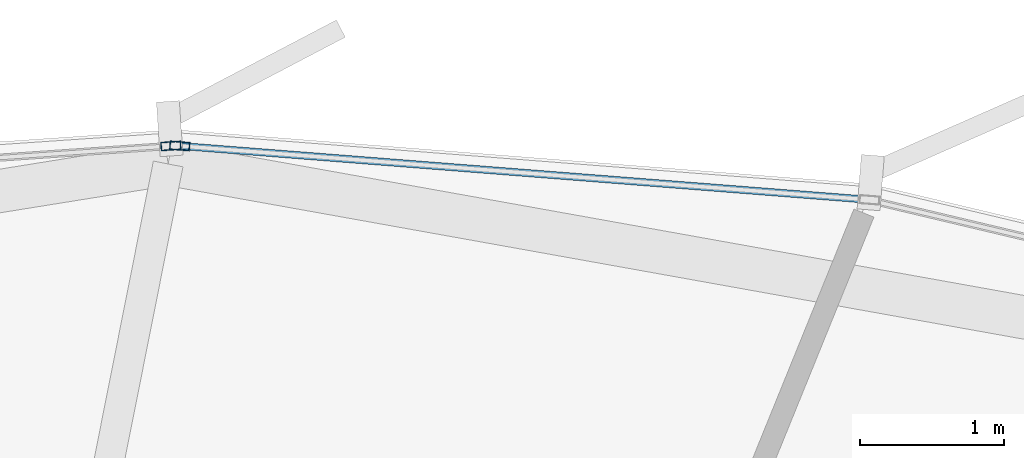
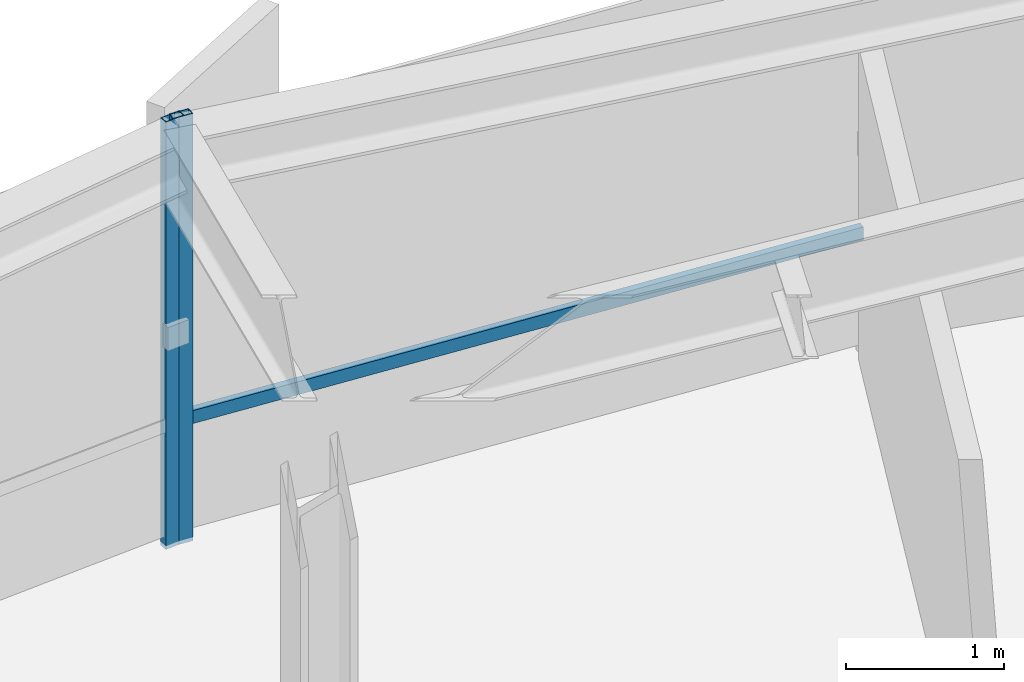
# One storey, part 29 of 37: 3 members, 2 elements without a shape of their own.
"""IFC4 building model written with IfcOpenShell, lengths in metres."""

from ifc_helpers import new_model, si_unit, direction, frame, origin, origin_2d, place, context, subcontext, project, spatial, hollow_rectangle, extrude, source, transform, mapped, material, layer, layer_set, material_profile, profile_set, type_object, element, aggregate, save


model = new_model("IFC4")

# Units and contexts
model_context = context("Model", 3, precision=1e-05, world=origin(), true_north=direction((0.0, 1.0)))
body_context = subcontext(model_context, "Body", "Model", "MODEL_VIEW")
ifc_project = project(units=[si_unit("LENGTHUNIT", "METRE"), si_unit("AREAUNIT", "SQUARE_METRE"), si_unit("VOLUMEUNIT", "CUBIC_METRE"), si_unit("PLANEANGLEUNIT", "RADIAN"), si_unit("MASSUNIT", "GRAM", prefix="KILO"), si_unit("THERMODYNAMICTEMPERATUREUNIT", "KELVIN")], contexts=[model_context])

# Site, building, storey
site_placement = place(None, origin())
site = spatial("IfcSite", under=ifc_project, at=site_placement, CompositionType="ELEMENT")
building_placement = place(site_placement, origin())
building = spatial("IfcBuilding", under=site, at=building_placement, Name="Kethvar Cultural Tower", CompositionType="ELEMENT")
storey_placement = place(building_placement, frame((0.0, 0.0, 132.35009765625)))
storey = spatial("IfcBuildingStorey", under=building, at=storey_placement, Name="L33", CompositionType="ELEMENT", Elevation=132.35009765625)

# Curtain wall, member
ifc_material = material(Name="Aluminium 6063-T6", Category="aluminium")
ifc_layer = layer(ifc_material, 0.179931640625, Name="Aluminium 6063-T6", Category="aluminium")
ifc_layer_set = layer_set([ifc_layer], Name="Aluminium 6063-T6 (180 mm)")
curtain_wall_type = type_object("IfcCurtainWallType", Name="CW-SYS-04-Z34", PredefinedType="NOTDEFINED", material=ifc_layer_set)
curtain_wall_1_placement = place(storey_placement, origin())
curtain_wall_1 = element("IfcCurtainWall", 1, at=curtain_wall_1_placement, inside=storey, type_object=curtain_wall_type, Name="L33 Curtain Wall Run 01", PredefinedType="NOTDEFINED")
ifc_material_profile_1 = material_profile(ifc_material, hollow_rectangle(XDim=0.06005859375, YDim=0.139892578125, WallThickness=0.0048828125, at=origin_2d()), Name="Aluminium 6063-T6 — RHS140x60x5")
ifc_profile_set_1 = profile_set([ifc_material_profile_1], Name="Aluminium 6063-T6 — RHS140x60x5")
member_type_1 = type_object("IfcMemberType", Name="CW-SYS-04-Z34-MUL", PredefinedType="MULLION", material=ifc_profile_set_1)
shared_shape_1 = source(origin(), body_context, "Body", "SweptSolid", [
    extrude(hollow_rectangle(XDim=0.06005859375, YDim=0.139892578125, WallThickness=0.0048828125, at=origin_2d()), origin(), (0.0, 0.0, 1.0), 3.2998046875),
])
member_1_placement = place(storey_placement, frame((51.68310546875, 52.071044921875, 0.0), z_axis=(0.0, 0.0, 1.0), x_axis=(-0.077884899581, -0.996962357573, 0.0)))
member_1 = element("IfcMember", 2, at=member_1_placement, type_object=member_type_1, Name="CW-L33-R01 Mullion 7", PredefinedType="MULLION", context=body_context, shape_type="MappedRepresentation", body=[
    mapped(shared_shape_1, transform((0.0, 0.0, 0.0), scale=1.0)),
])

curtain_wall_2_placement = place(storey_placement, origin())
curtain_wall_2 = element("IfcCurtainWall", 3, at=curtain_wall_2_placement, inside=storey, type_object=curtain_wall_type, Name="L33 Curtain Wall Run 02", PredefinedType="NOTDEFINED")
member_2_placement = place(storey_placement, frame((51.62158203125, 52.0712890625, 0.0), z_axis=(0.0, 0.0, 1.0), x_axis=(0.068328719064, -0.997662861968, 0.0)))
member_2 = element("IfcMember", 4, at=member_2_placement, type_object=member_type_1, Name="CW-L33-R02 Mullion 1", PredefinedType="MULLION", context=body_context, shape_type="MappedRepresentation", body=[
    mapped(shared_shape_1, transform((0.0, 0.0, 0.0), scale=1.0)),
])
aggregate(curtain_wall_2, [member_2])

# Member
ifc_material_profile_2 = material_profile(ifc_material, hollow_rectangle(XDim=0.050048828125, YDim=0.10009765625, WallThickness=0.00390625, at=origin_2d()), Name="Aluminium 6063-T6 — RHS100x50x4")
ifc_profile_set_2 = profile_set([ifc_material_profile_2], Name="Aluminium 6063-T6 — RHS100x50x4")
member_type_2 = type_object("IfcMemberType", Name="CW-SYS-04-Z34-TRN", PredefinedType="USERDEFINED", material=ifc_profile_set_2)
shared_shape_2 = source(origin(), body_context, "Body", "SweptSolid", [
    extrude(hollow_rectangle(XDim=0.050048828125, YDim=0.10009765625, WallThickness=0.00390625, at=origin_2d()), origin(), (0.0, 0.0, 1.0), 4.765625),
])
member_3_placement = place(storey_placement, frame((56.438720703125, 51.69970703125, 0.949951171875), z_axis=(-0.996963695046, 0.077867777425, 0.0), x_axis=(-0.077867777425, -0.996963695046, 0.0)))
member_3 = element("IfcMember", 5, at=member_3_placement, type_object=member_type_2, Name="CW-L33-R01 Transom 6", ObjectType="TRANSOM", PredefinedType="USERDEFINED", context=body_context, shape_type="MappedRepresentation", body=[
    mapped(shared_shape_2, transform((0.0, 0.0, 0.0), scale=1.0)),
])

aggregate(curtain_wall_1, [member_1, member_3])

save(model, "model.ifc")
